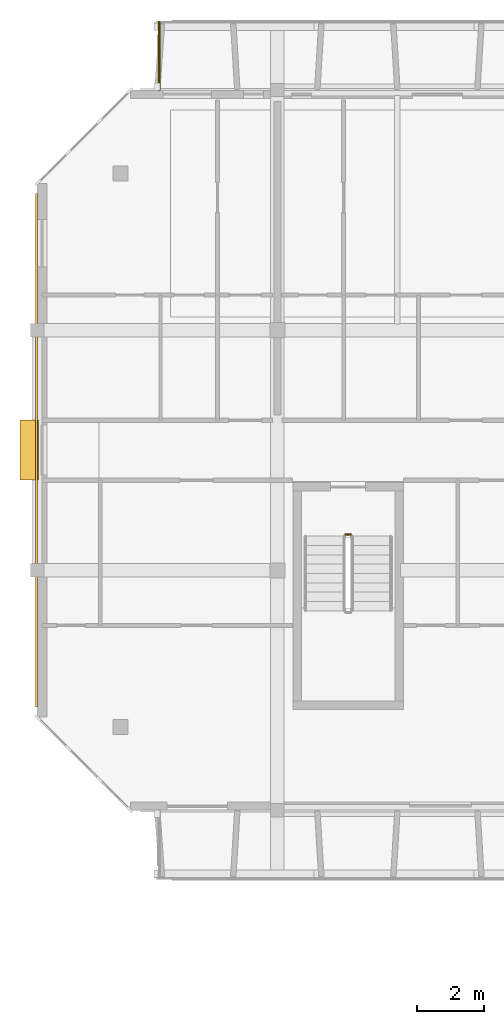
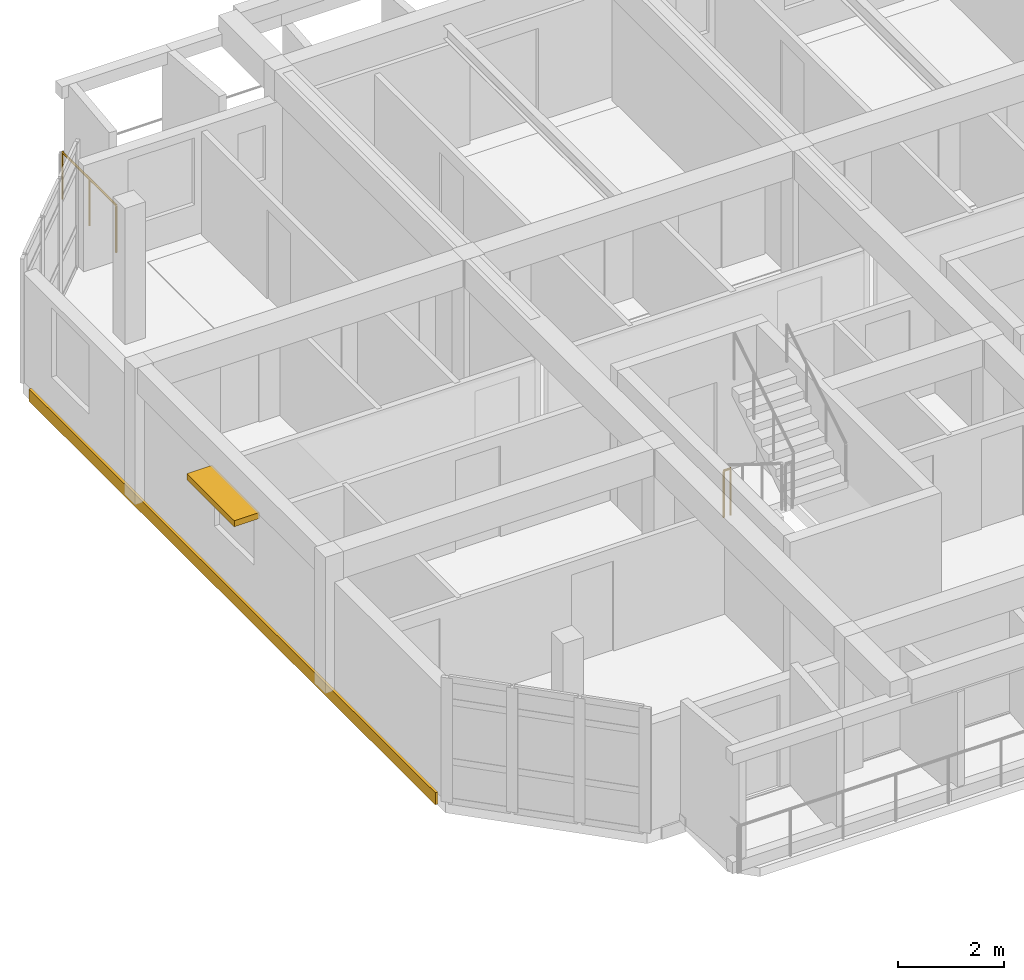
# One storey, part 17 of 19: 2 railings, 1 covering, 1 shading device.
"""IFC4 building model written with IfcOpenShell, lengths in metres."""

from ifc_helpers import new_model, si_unit, direction, frame, origin, origin_2d, place, context, subcontext, project, spatial, rectangle, circle, extrude, material, layer, layer_set, type_object, element, save


model = new_model("IFC4")

# Units and contexts
model_context = context("Model", 3, precision=1e-05, world=origin(), true_north=direction((0.0, 1.0)))
body_context = subcontext(model_context, "Body", "Model", "MODEL_VIEW")
ifc_project = project(units=[si_unit("LENGTHUNIT", "METRE"), si_unit("AREAUNIT", "SQUARE_METRE"), si_unit("VOLUMEUNIT", "CUBIC_METRE"), si_unit("PLANEANGLEUNIT", "RADIAN"), si_unit("MASSUNIT", "GRAM", prefix="KILO")], contexts=[model_context])

# Site, building, storey
site_placement = place(None, origin())
site = spatial("IfcSite", under=ifc_project, at=site_placement, CompositionType="ELEMENT")
building_placement = place(site_placement, origin())
building = spatial("IfcBuilding", under=site, at=building_placement, Name="Ochrevale Crest", CompositionType="ELEMENT")
storey_placement = place(building_placement, frame((0.0, 0.0, 43.35009765625)))
storey = spatial("IfcBuildingStorey", under=building, at=storey_placement, Name="L13", CompositionType="ELEMENT", Elevation=43.35009765625)

# Covering
ifc_material_1 = material(Name="Glazed terracotta rainscreen tile", Category="masonry")
ifc_layer = layer(ifc_material_1, 0.048095703125)
ifc_layer_set = layer_set([ifc_layer], Name="Glazed terracotta rainscreen tile")
covering_type = type_object("IfcCoveringType", Name="COV-CLAD-TER", PredefinedType="CLADDING", material=ifc_layer_set)
covering_placement = place(storey_placement, frame((129.58544921875, 82.800048828125, -0.26025390625), z_axis=(0.0, 0.0, 1.0), x_axis=(0.0, -1.0, 0.0)))
element("IfcCovering", 1, at=covering_placement, inside=storey, type_object=covering_type, Name="Block D L13 terracotta slab-edge spandrel cladding", PredefinedType="CLADDING", context=body_context, shape_type="SweptSolid", body=[
    extrude(rectangle(XDim=15.39990234375, YDim=0.06005859375, at=origin_2d()), origin(), (0.0, 0.0, 1.0), 0.280029296875),
])

# Railings
ifc_material_2 = material(Name="Galvanised steel", Category="steel")
railing_type_1 = type_object("IfcRailingType", Name="RL-BAL-1100", PredefinedType="BALUSTRADE", material=ifc_material_2)
railing_1_placement = place(storey_placement, frame((133.260009765625, 93.60009765625, 0.0)))
element("IfcRailing", 2, at=railing_1_placement, inside=storey, type_object=railing_type_1, Name="Block D L13 N-W balcony side guard", PredefinedType="BALUSTRADE", context=body_context, shape_type="SweptSolid", body=[
    extrude(circle(Radius=0.02392578125, at=origin_2d()), frame((0.0, 0.0, 1.0859375), z_axis=(0.0, 1.0, 0.0), x_axis=(-1.0, 0.0, 0.0)), (0.0, 0.0, 1.0), 2.039794921875),
    extrude(circle(Radius=0.02099609375, at=origin_2d()), origin(), (0.0, 0.0, 1.0), 1.06201171875),
    extrude(circle(Radius=0.02099609375, at=origin_2d()), frame((0.0, 1.02001953125, 0.0)), (0.0, 0.0, 1.0), 1.06201171875),
    extrude(circle(Radius=0.02099609375, at=origin_2d()), frame((0.0, 2.039794921875, 0.0)), (0.0, 0.0, 1.0), 1.06201171875),
])
railing_type_2 = type_object("IfcRailingType", Name="RL-ST-GUARD", PredefinedType="BALUSTRADE", material=ifc_material_2)
railing_2_placement = place(storey_placement, frame((138.85009765625, 80.27490234375, 0.0)))
element("IfcRailing", 3, at=railing_2_placement, inside=storey, type_object=railing_type_2, Name="L13 ST-D1 stair guard 4", PredefinedType="BALUSTRADE", context=body_context, shape_type="SweptSolid", body=[
    extrude(circle(Radius=0.02392578125, at=origin_2d()), frame((0.0, 0.0, 1.076171875), z_axis=(1.0, 0.0, 0.0), x_axis=(0.0, 1.0, 0.0)), (0.0, 0.0, 1.0), 0.14990234375),
    extrude(circle(Radius=0.02099609375, at=origin_2d()), origin(), (0.0, 0.0, 1.0), 1.052001953125),
    extrude(circle(Radius=0.02099609375, at=origin_2d()), frame((0.14990234375, 0.0, 0.0)), (0.0, 0.0, 1.0), 1.052001953125),
])

# Shading device
ifc_material_3 = material(Name="Anodised aluminium 6063-T5", Category="aluminium")
shading_device_type = type_object("IfcShadingDeviceType", Name="SHD-SUNSHADE-OC", PredefinedType="USERDEFINED", material=ifc_material_3)
shading_device_placement = place(storey_placement, frame((129.360107421875, 82.800048828125, 2.2099609375), z_axis=(0.0, 0.0, 1.0), x_axis=(1.0, 0.0, 0.0)))
element("IfcShadingDevice", 4, at=shading_device_placement, inside=storey, type_object=shading_device_type, Name="Block D L13 gable window sunshade W", ObjectType="HORIZONTAL SUNSHADE", PredefinedType="USERDEFINED", context=body_context, shape_type="SweptSolid", body=[
    extrude(rectangle(XDim=0.550048828125, YDim=1.800048828125, at=origin_2d()), origin(), (0.0, 0.0, 1.0), 0.139892578125),
])

save(model, "model.ifc")
